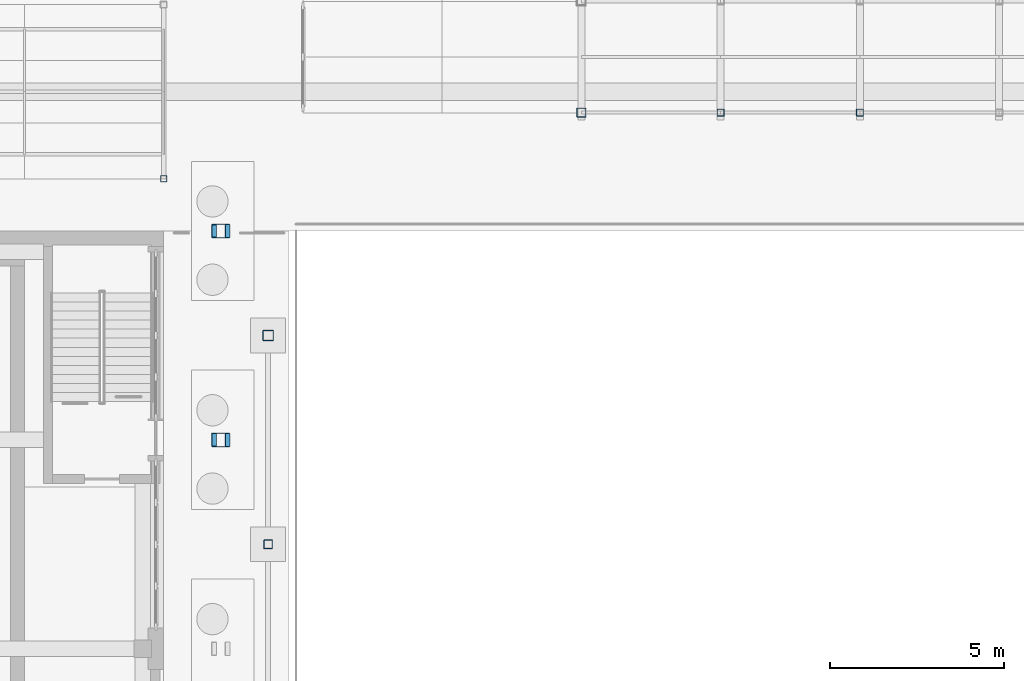
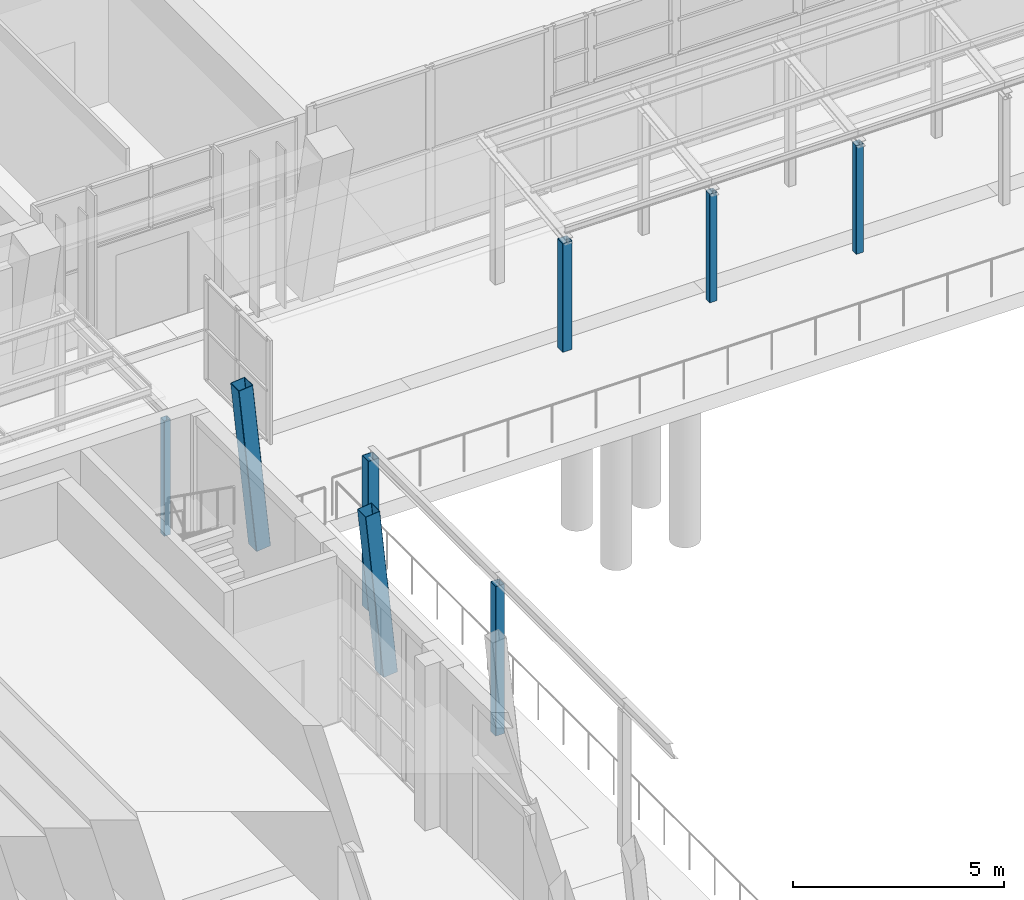
# One storey, part 9 of 144: 8 columns.
"""IFC4 building model written with IfcOpenShell, lengths in metres."""

from ifc_helpers import new_model, si_unit, direction, frame, origin, origin_2d, place, context, subcontext, project, spatial, hollow_rectangle, extrude, material, material_profile, profile_set, type_object, element, save


model = new_model("IFC4")

# Units and contexts
model_context = context("Model", 3, precision=1e-05, world=origin(), true_north=direction((0.0, 1.0)))
body_context = subcontext(model_context, "Body", "Model", "MODEL_VIEW")
ifc_project = project(units=[si_unit("LENGTHUNIT", "METRE"), si_unit("AREAUNIT", "SQUARE_METRE"), si_unit("VOLUMEUNIT", "CUBIC_METRE"), si_unit("PLANEANGLEUNIT", "RADIAN"), si_unit("MASSUNIT", "GRAM", prefix="KILO")], contexts=[model_context])

# Site, building, storey
site_placement = place(None, origin())
site = spatial("IfcSite", under=ifc_project, at=site_placement, CompositionType="ELEMENT")
building_placement = place(site_placement, origin())
building = spatial("IfcBuilding", under=site, at=building_placement, Name="Lantern Court Media Centre", CompositionType="ELEMENT")
storey_placement = place(building_placement, origin())
storey = spatial("IfcBuildingStorey", under=building, at=storey_placement, Name="L00", CompositionType="ELEMENT", Elevation=0.0)

# Columns
ifc_material = material(Name="Steel S355J2 (EN 10025-2)", Category="steel")
ifc_material_profile_1 = material_profile(ifc_material, hollow_rectangle(XDim=0.39990234375, YDim=0.39990234375, WallThickness=0.012451171875, InnerFilletRadius=0.012451171875, OuterFilletRadius=0.018798828125, at=origin_2d()), Name="Cinema Hall buttress column SHS 400x12.5")
ifc_profile_set_1 = profile_set([ifc_material_profile_1], Name="Steel S355J2 (EN 10025-2)")
column_type_1 = type_object("IfcColumnType", Name="Cinema Hall buttress column SHS 400x12.5", PredefinedType="COLUMN", material=ifc_profile_set_1)
column_1_placement = place(storey_placement, frame((33.699951171875, 34.0, 0.0), z_axis=(-0.100901453218, 0.0, 0.994896425131), x_axis=(0.0, -1.0, 0.0)))
element("IfcColumn", 1, at=column_1_placement, inside=storey, type_object=column_type_1, Name="Cinema Hall buttress east 7", PredefinedType="COLUMN", context=body_context, shape_type="SweptSolid", body=[
    extrude(hollow_rectangle(XDim=0.39990234375, YDim=0.39990234375, WallThickness=0.012451171875, InnerFilletRadius=0.012451171875, OuterFilletRadius=0.018798828125, at=origin_2d()), origin(), (0.0, 0.0, 1.0), 4.82470703125),
])
ifc_material_profile_2 = material_profile(ifc_material, hollow_rectangle(XDim=0.39990234375, YDim=0.39990234375, WallThickness=0.01611328125, InnerFilletRadius=0.01611328125, OuterFilletRadius=0.02392578125, at=origin_2d()), Name="Cinema Hall gable buttress column SHS 400x16")
ifc_profile_set_2 = profile_set([ifc_material_profile_2], Name="Steel S355J2 (EN 10025-2)")
column_type_2 = type_object("IfcColumnType", Name="Cinema Hall gable buttress column SHS 400x16", PredefinedType="COLUMN", material=ifc_profile_set_2)
column_2_placement = place(storey_placement, frame((33.699951171875, 40.0, 0.0), z_axis=(-0.100901453218, 0.0, 0.994896425131), x_axis=(0.0, -1.0, 0.0)))
element("IfcColumn", 2, at=column_2_placement, inside=storey, type_object=column_type_2, Name="Cinema Hall buttress east 8", PredefinedType="COLUMN", context=body_context, shape_type="SweptSolid", body=[
    extrude(hollow_rectangle(XDim=0.39990234375, YDim=0.39990234375, WallThickness=0.01611328125, InnerFilletRadius=0.01611328125, OuterFilletRadius=0.02392578125, at=origin_2d()), origin(), (0.0, 0.0, 1.0), 4.82470703125),
])
ifc_material_profile_3 = material_profile(ifc_material, hollow_rectangle(XDim=0.179931640625, YDim=0.179931640625, WallThickness=0.008056640625, InnerFilletRadius=0.008056640625, OuterFilletRadius=0.011962890625, at=origin_2d()), Name="Cloister canopy end post SHS 180x8")
ifc_profile_set_3 = profile_set([ifc_material_profile_3], Name="Steel S355J2 (EN 10025-2)")
column_type_3 = type_object("IfcColumnType", Name="Cloister canopy end post SHS 180x8", PredefinedType="COLUMN", material=ifc_profile_set_3)
column_3_placement = place(storey_placement, frame((32.0, 41.5, 0.0), z_axis=(0.0, 0.0, 1.0), x_axis=(1.0, 0.0, 0.0)))
element("IfcColumn", 3, at=column_3_placement, inside=storey, type_object=column_type_3, Name="Cloister post 1-5-1", PredefinedType="COLUMN", context=body_context, shape_type="SweptSolid", body=[
    extrude(hollow_rectangle(XDim=0.179931640625, YDim=0.179931640625, WallThickness=0.008056640625, InnerFilletRadius=0.008056640625, OuterFilletRadius=0.011962890625, at=origin_2d()), origin(), (0.0, 0.0, 1.0), 3.330078125),
])
ifc_material_profile_4 = material_profile(ifc_material, hollow_rectangle(XDim=0.260009765625, YDim=0.260009765625, WallThickness=0.010009765625, InnerFilletRadius=0.010009765625, OuterFilletRadius=0.014892578125, at=origin_2d()), Name="Entrance canopy end post SHS 260x10")
ifc_profile_set_4 = profile_set([ifc_material_profile_4], Name="Steel S355J2 (EN 10025-2)")
column_type_4 = type_object("IfcColumnType", Name="Entrance canopy end post SHS 260x10", PredefinedType="COLUMN", material=ifc_profile_set_4)
column_4_placement = place(storey_placement, frame((44.0, 43.39990234375, 0.0), z_axis=(0.0, 0.0, 1.0), x_axis=(1.0, 0.0, 0.0)))
element("IfcColumn", 4, at=column_4_placement, inside=storey, type_object=column_type_4, Name="Entrance canopy post 1-1", PredefinedType="COLUMN", context=body_context, shape_type="SweptSolid", body=[
    extrude(hollow_rectangle(XDim=0.260009765625, YDim=0.260009765625, WallThickness=0.010009765625, InnerFilletRadius=0.010009765625, OuterFilletRadius=0.014892578125, at=origin_2d()), origin(), (0.0, 0.0, 1.0), 3.1337890625),
])
ifc_material_profile_5 = material_profile(ifc_material, hollow_rectangle(XDim=0.199951171875, YDim=0.199951171875, WallThickness=0.008056640625, InnerFilletRadius=0.008056640625, OuterFilletRadius=0.011962890625, at=origin_2d()), Name="Entrance canopy post SHS 200x8")
ifc_profile_set_5 = profile_set([ifc_material_profile_5], Name="Steel S355J2 (EN 10025-2)")
column_type_5 = type_object("IfcColumnType", Name="Entrance canopy post SHS 200x8", PredefinedType="COLUMN", material=ifc_profile_set_5)
for number, where, z_axis, x_axis, name in (
    (5, (48.0, 43.39990234375, 0.0), (0.0, 0.0, 1.0), (1.0, 0.0, 0.0), "Entrance canopy post 2-1"),
    (6, (52.0, 43.39990234375, 0.0), (0.0, 0.0, 1.0), (1.0, 0.0, 0.0), "Entrance canopy post 3-1"),
):
    element("IfcColumn", number, at=place(storey_placement, frame(where, z_axis=z_axis, x_axis=x_axis)), inside=storey, type_object=column_type_5, Name=name, PredefinedType="COLUMN", context=body_context, shape_type="SweptSolid", body=[
        extrude(hollow_rectangle(XDim=0.199951171875, YDim=0.199951171875, WallThickness=0.008056640625, InnerFilletRadius=0.008056640625, OuterFilletRadius=0.011962890625, at=origin_2d()), origin(), (0.0, 0.0, 1.0), 3.1337890625),
    ])
ifc_material_profile_6 = material_profile(ifc_material, hollow_rectangle(XDim=0.300048828125, YDim=0.300048828125, WallThickness=0.010009765625, InnerFilletRadius=0.010009765625, OuterFilletRadius=0.014892578125, at=origin_2d()), Name="Forecourt colonnade end post SHS 300x10")
ifc_profile_set_6 = profile_set([ifc_material_profile_6], Name="Steel S355J2 (EN 10025-2)")
column_type_6 = type_object("IfcColumnType", Name="Forecourt colonnade end post SHS 300x10", PredefinedType="COLUMN", material=ifc_profile_set_6)
column_5_placement = place(storey_placement, frame((35.0, 37.0, -0.419921875), z_axis=(0.0, 0.0, 1.0), x_axis=(1.0, 0.0, 0.0)))
element("IfcColumn", 7, at=column_5_placement, inside=storey, type_object=column_type_6, Name="Forecourt colonnade post V1 5", PredefinedType="COLUMN", context=body_context, shape_type="SweptSolid", body=[
    extrude(hollow_rectangle(XDim=0.300048828125, YDim=0.300048828125, WallThickness=0.010009765625, InnerFilletRadius=0.010009765625, OuterFilletRadius=0.014892578125, at=origin_2d()), origin(), (0.0, 0.0, 1.0), 4.31982421875),
])
ifc_material_profile_7 = material_profile(ifc_material, hollow_rectangle(XDim=0.25, YDim=0.25, WallThickness=0.010009765625, InnerFilletRadius=0.010009765625, OuterFilletRadius=0.014892578125, at=origin_2d()), Name="Forecourt colonnade post SHS 250x10")
ifc_profile_set_7 = profile_set([ifc_material_profile_7], Name="Steel S355J2 (EN 10025-2)")
column_type_7 = type_object("IfcColumnType", Name="Forecourt colonnade post SHS 250x10", PredefinedType="COLUMN", material=ifc_profile_set_7)
column_6_placement = place(storey_placement, frame((35.0, 31.0, -0.419921875), z_axis=(0.0, 0.0, 1.0), x_axis=(1.0, 0.0, 0.0)))
element("IfcColumn", 8, at=column_6_placement, inside=storey, type_object=column_type_7, Name="Forecourt colonnade post V1 4", PredefinedType="COLUMN", context=body_context, shape_type="SweptSolid", body=[
    extrude(hollow_rectangle(XDim=0.25, YDim=0.25, WallThickness=0.010009765625, InnerFilletRadius=0.010009765625, OuterFilletRadius=0.014892578125, at=origin_2d()), origin(), (0.0, 0.0, 1.0), 4.31982421875),
])

save(model, "model.ifc")
